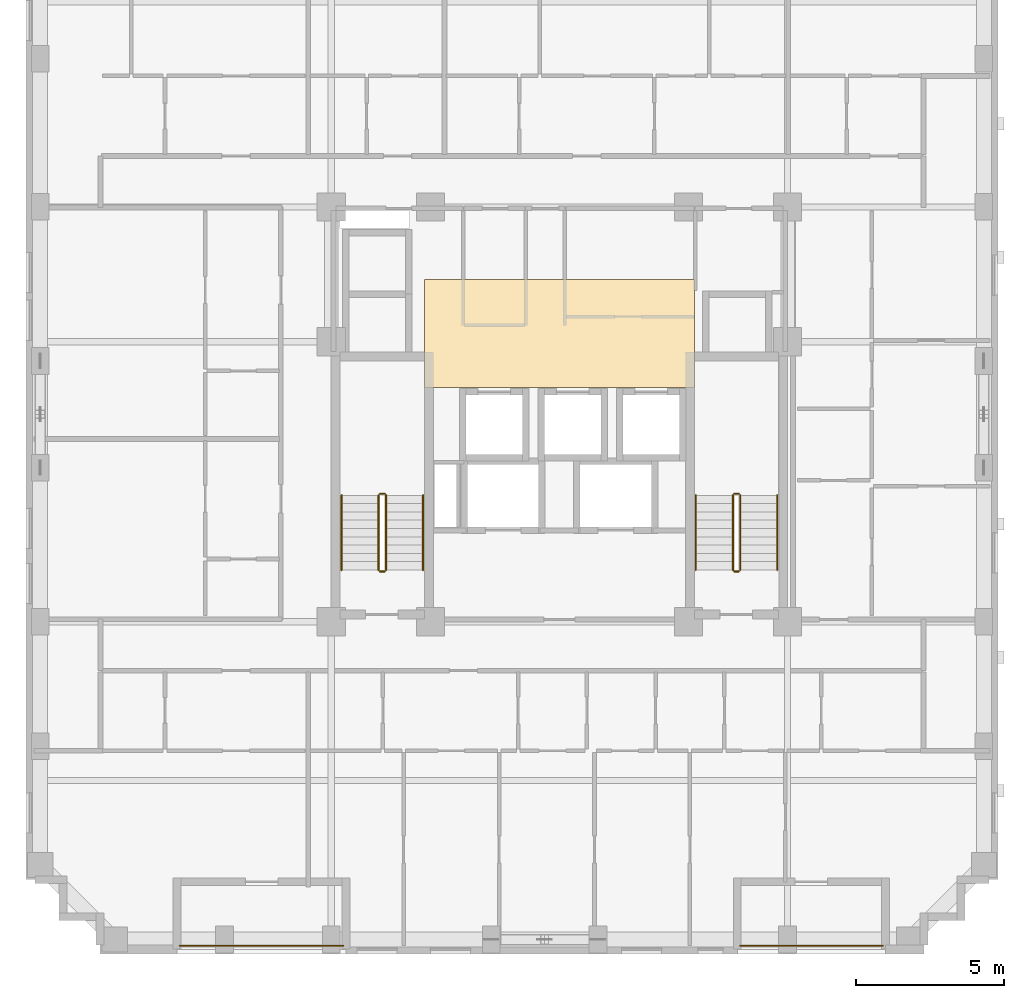
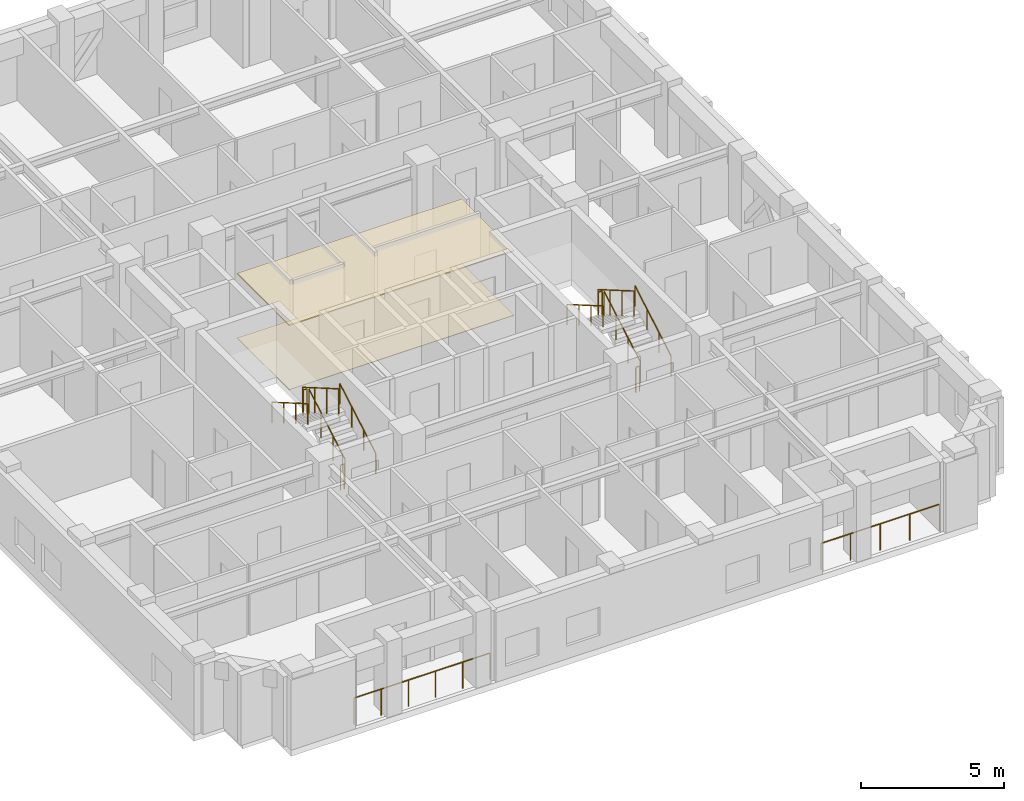
# One storey, part 10 of 11: 14 railings, 2 coverings.
"""IFC4 building model written with IfcOpenShell, lengths in metres."""

from ifc_helpers import new_model, si_unit, derived_unit, direction, frame, origin, origin_2d, place, context, subcontext, project, spatial, polyline, circle, outline, extrude, material, layer, layer_set, type_object, element, save


model = new_model("IFC4")

# Units and contexts
model_context = context("Model", 3, precision=1e-05, world=origin(), true_north=direction((0.0, 1.0)))
body_context = subcontext(model_context, "Body", "Model", "MODEL_VIEW")
ifc_project = project(units=[si_unit("LENGTHUNIT", "METRE"), si_unit("AREAUNIT", "SQUARE_METRE"), si_unit("VOLUMEUNIT", "CUBIC_METRE"), si_unit("PLANEANGLEUNIT", "RADIAN"), si_unit("MASSUNIT", "GRAM", prefix="KILO"), derived_unit("THERMALTRANSMITTANCEUNIT", [(si_unit("MASSUNIT", "GRAM", prefix="KILO"), 1), (si_unit("TIMEUNIT", "SECOND"), -3), (si_unit("THERMODYNAMICTEMPERATUREUNIT", "KELVIN"), -1)])], contexts=[model_context])

# Site, building, storey
site_placement = place(None, origin())
site = spatial("IfcSite", under=ifc_project, at=site_placement, CompositionType="ELEMENT")
building_placement = place(site_placement, origin())
building = spatial("IfcBuilding", under=site, at=building_placement, Name="Korrvale Station Residences", CompositionType="ELEMENT")
storey_placement = place(building_placement, frame((0.0, 0.0, 147.14990234375)))
storey = spatial("IfcBuildingStorey", under=building, at=storey_placement, Name="L42", CompositionType="ELEMENT", Elevation=147.14990234375)

# Coverings
ifc_material_1 = material(Name="Perforated acoustic mineral-fibre suspended ceiling", Category="gypsum")
ifc_layer_1 = layer(ifc_material_1, 0.050048828125, Name="Perforated acoustic mineral-fibre suspended ceiling")
ifc_layer_set_1 = layer_set([ifc_layer_1], Name="Perforated acoustic mineral-fibre suspended ceiling")
covering_type_1 = type_object("IfcCoveringType", Name="COV-CLG-AC60", PredefinedType="CEILING", material=ifc_layer_set_1)
covering_1_placement = place(storey_placement, frame((0.0, 0.0, 2.739990234375)))
element("IfcCovering", 1, at=covering_1_placement, inside=storey, type_object=covering_type_1, Name="L42 Elevator Lobby Acoustic Ceiling", PredefinedType="CEILING", context=body_context, shape_type="SweptSolid", body=[
    extrude(outline(polyline([(20.949951171875, 22.89990234375), (30.050048828125, 22.89990234375), (30.050048828125, 26.550048828125), (20.949951171875, 26.550048828125), (20.949951171875, 22.89990234375)])), origin(), (0.0, 0.0, 1.0), 0.050048828125),
])
ifc_material_2 = material(Name="Polished quartz-terrazzo lobby flooring", Category="masonry")
ifc_layer_2 = layer(ifc_material_2, 0.02001953125, Name="Polished quartz-terrazzo lobby flooring")
ifc_layer_set_2 = layer_set([ifc_layer_2], Name="Polished quartz-terrazzo lobby flooring")
covering_type_2 = type_object("IfcCoveringType", Name="COV-FLR-TER20", PredefinedType="FLOORING", material=ifc_layer_set_2)
covering_2_placement = place(storey_placement, origin())
element("IfcCovering", 2, at=covering_2_placement, inside=storey, type_object=covering_type_2, Name="L42 Elevator Lobby Terrazzo Flooring", PredefinedType="FLOORING", context=body_context, shape_type="SweptSolid", body=[
    extrude(outline(polyline([(20.949951171875, 22.89990234375), (30.050048828125, 22.89990234375), (30.050048828125, 26.550048828125), (20.949951171875, 26.550048828125), (20.949951171875, 22.89990234375)])), origin(), (0.0, 0.0, 1.0), 0.02001953125),
])

# Railings
ifc_material_3 = material(Name="Powder-coated aluminium picket loggia guard", Category="aluminium")
railing_type_1 = type_object("IfcRailingType", Name="RLG-BAL-1150", PredefinedType="GUARDRAIL", material=ifc_material_3)
railing_1_placement = place(storey_placement, frame((31.60009765625, 4.070068359375, 0.0)))
element("IfcRailing", 3, at=railing_1_placement, inside=storey, type_object=railing_type_1, Name="L42 Recessed Loggia Guardrail BAL-L42-S2", PredefinedType="GUARDRAIL", context=body_context, shape_type="SweptSolid", body=[
    extrude(circle(Radius=0.02392578125, at=origin_2d()), frame((0.0, 0.0, 1.1259765625), z_axis=(1.0, 0.0, 0.0), x_axis=(0.0, 1.0, 0.0)), (0.0, 0.0, 1.0), 4.7998046875),
    extrude(circle(Radius=0.02099609375, at=origin_2d()), origin(), (0.0, 0.0, 1.0), 1.101806640625),
    extrude(circle(Radius=0.02099609375, at=origin_2d()), frame((1.199951171875, 0.0, 0.0)), (0.0, 0.0, 1.0), 1.101806640625),
    extrude(circle(Radius=0.02099609375, at=origin_2d()), frame((2.39990234375, 0.0, 0.0)), (0.0, 0.0, 1.0), 1.101806640625),
    extrude(circle(Radius=0.02099609375, at=origin_2d()), frame((3.599853515625, 0.0, 0.0)), (0.0, 0.0, 1.0), 1.101806640625),
    extrude(circle(Radius=0.02099609375, at=origin_2d()), frame((4.7998046875, 0.0, 0.0)), (0.0, 0.0, 1.0), 1.101806640625),
])
railing_2_placement = place(storey_placement, frame((12.699951171875, 4.070068359375, 0.0)))
element("IfcRailing", 4, at=railing_2_placement, inside=storey, type_object=railing_type_1, Name="L42 Recessed Loggia Guardrail BAL-L42-S1", PredefinedType="GUARDRAIL", context=body_context, shape_type="SweptSolid", body=[
    extrude(circle(Radius=0.02392578125, at=origin_2d()), frame((0.0, 0.0, 1.1259765625), z_axis=(1.0, 0.0, 0.0), x_axis=(0.0, 1.0, 0.0)), (0.0, 0.0, 1.0), 5.5),
    extrude(circle(Radius=0.02099609375, at=origin_2d()), origin(), (0.0, 0.0, 1.0), 1.101806640625),
    extrude(circle(Radius=0.02099609375, at=origin_2d()), frame((1.10009765625, 0.0, 0.0)), (0.0, 0.0, 1.0), 1.101806640625),
    extrude(circle(Radius=0.02099609375, at=origin_2d()), frame((2.199951171875, 0.0, 0.0)), (0.0, 0.0, 1.0), 1.101806640625),
    extrude(circle(Radius=0.02099609375, at=origin_2d()), frame((3.300048828125, 0.0, 0.0)), (0.0, 0.0, 1.0), 1.101806640625),
    extrude(circle(Radius=0.02099609375, at=origin_2d()), frame((4.39990234375, 0.0, 0.0)), (0.0, 0.0, 1.0), 1.101806640625),
    extrude(circle(Radius=0.02099609375, at=origin_2d()), frame((5.5, 0.0, 0.0)), (0.0, 0.0, 1.0), 1.101806640625),
])
ifc_material_4 = material(Name="Brushed stainless-steel continuous stair handrail", Category="steel")
railing_type_2 = type_object("IfcRailingType", Name="RLG-SHND-900", PredefinedType="HANDRAIL", material=ifc_material_4)
railing_3_placement = place(storey_placement, frame((20.89990234375, 16.75, 0.16259765625)))
element("IfcRailing", 5, at=railing_3_placement, inside=storey, type_object=railing_type_2, Name="L42 ST-1 stair handrail 1", PredefinedType="HANDRAIL", context=body_context, shape_type="SweptSolid", body=[
    extrude(circle(Radius=0.02392578125, at=origin_2d()), frame((0.0, 0.0, 0.8759765625), z_axis=(0.0, 0.864913338283, 0.50192122615), x_axis=(-1.0, 0.0, 0.0)), (0.0, 0.0, 1.0), 2.91357421875),
    extrude(circle(Radius=0.02099609375, at=origin_2d()), origin(), (0.0, 0.0, 1.0), 0.851806640625),
    extrude(circle(Radius=0.02099609375, at=origin_2d()), frame((0.0, 0.840087890625, 0.487548828125)), (0.0, 0.0, 1.0), 0.851806640625),
    extrude(circle(Radius=0.02099609375, at=origin_2d()), frame((0.0, 1.679931640625, 0.974853515625)), (0.0, 0.0, 1.0), 0.851806640625),
    extrude(circle(Radius=0.02099609375, at=origin_2d()), frame((0.0, 2.52001953125, 1.46240234375)), (0.0, 0.0, 1.0), 0.851806640625),
])
railing_4_placement = place(storey_placement, frame((18.14990234375, 19.27001953125, 1.78759765625)))
element("IfcRailing", 6, at=railing_4_placement, inside=storey, type_object=railing_type_2, Name="L42 ST-1 stair handrail 2", PredefinedType="HANDRAIL", context=body_context, shape_type="SweptSolid", body=[
    extrude(circle(Radius=0.02392578125, at=origin_2d()), frame((0.0, 0.0, 0.8759765625), z_axis=(0.0, -0.864913338283, 0.50192122615), x_axis=(1.0, 0.0, 0.0)), (0.0, 0.0, 1.0), 2.91357421875),
    extrude(circle(Radius=0.02099609375, at=origin_2d()), origin(), (0.0, 0.0, 1.0), 0.851806640625),
    extrude(circle(Radius=0.02099609375, at=origin_2d()), frame((0.0, -0.840087890625, 0.487548828125)), (0.0, 0.0, 1.0), 0.851806640625),
    extrude(circle(Radius=0.02099609375, at=origin_2d()), frame((0.0, -1.679931640625, 0.974853515625)), (0.0, 0.0, 1.0), 0.851806640625),
    extrude(circle(Radius=0.02099609375, at=origin_2d()), frame((0.0, -2.52001953125, 1.46240234375)), (0.0, 0.0, 1.0), 0.851806640625),
])
railing_5_placement = place(storey_placement, frame((32.85009765625, 16.75, 0.16259765625)))
element("IfcRailing", 7, at=railing_5_placement, inside=storey, type_object=railing_type_2, Name="L42 ST-2 stair handrail 1", PredefinedType="HANDRAIL", context=body_context, shape_type="SweptSolid", body=[
    extrude(circle(Radius=0.02392578125, at=origin_2d()), frame((0.0, 0.0, 0.8759765625), z_axis=(0.0, 0.864913338283, 0.50192122615), x_axis=(-1.0, 0.0, 0.0)), (0.0, 0.0, 1.0), 2.91357421875),
    extrude(circle(Radius=0.02099609375, at=origin_2d()), origin(), (0.0, 0.0, 1.0), 0.851806640625),
    extrude(circle(Radius=0.02099609375, at=origin_2d()), frame((0.0, 0.840087890625, 0.487548828125)), (0.0, 0.0, 1.0), 0.851806640625),
    extrude(circle(Radius=0.02099609375, at=origin_2d()), frame((0.0, 1.679931640625, 0.974853515625)), (0.0, 0.0, 1.0), 0.851806640625),
    extrude(circle(Radius=0.02099609375, at=origin_2d()), frame((0.0, 2.52001953125, 1.46240234375)), (0.0, 0.0, 1.0), 0.851806640625),
])
railing_6_placement = place(storey_placement, frame((30.10009765625, 19.27001953125, 1.78759765625)))
element("IfcRailing", 8, at=railing_6_placement, inside=storey, type_object=railing_type_2, Name="L42 ST-2 stair handrail 2", PredefinedType="HANDRAIL", context=body_context, shape_type="SweptSolid", body=[
    extrude(circle(Radius=0.02392578125, at=origin_2d()), frame((0.0, 0.0, 0.8759765625), z_axis=(0.0, -0.864913338283, 0.50192122615), x_axis=(1.0, 0.0, 0.0)), (0.0, 0.0, 1.0), 2.91357421875),
    extrude(circle(Radius=0.02099609375, at=origin_2d()), origin(), (0.0, 0.0, 1.0), 0.851806640625),
    extrude(circle(Radius=0.02099609375, at=origin_2d()), frame((0.0, -0.840087890625, 0.487548828125)), (0.0, 0.0, 1.0), 0.851806640625),
    extrude(circle(Radius=0.02099609375, at=origin_2d()), frame((0.0, -1.679931640625, 0.974853515625)), (0.0, 0.0, 1.0), 0.851806640625),
    extrude(circle(Radius=0.02099609375, at=origin_2d()), frame((0.0, -2.52001953125, 1.46240234375)), (0.0, 0.0, 1.0), 0.851806640625),
])
ifc_material_5 = material(Name="Galvanised painted tubular steel stair guard", Category="steel")
railing_type_3 = type_object("IfcRailingType", Name="RLG-STR-1100", PredefinedType="GUARDRAIL", material=ifc_material_5)
railing_7_placement = place(storey_placement, frame((19.64990234375, 16.75, 0.16259765625)))
element("IfcRailing", 9, at=railing_7_placement, inside=storey, type_object=railing_type_3, Name="L42 ST-1 stair guard 1", PredefinedType="GUARDRAIL", context=body_context, shape_type="SweptSolid", body=[
    extrude(circle(Radius=0.02392578125, at=origin_2d()), frame((0.0, 0.0, 1.076171875), z_axis=(0.0, 0.864913338283, 0.50192122615), x_axis=(-1.0, 0.0, 0.0)), (0.0, 0.0, 1.0), 2.91357421875),
    extrude(circle(Radius=0.02099609375, at=origin_2d()), origin(), (0.0, 0.0, 1.0), 1.052001953125),
    extrude(circle(Radius=0.02099609375, at=origin_2d()), frame((0.0, 0.840087890625, 0.487548828125)), (0.0, 0.0, 1.0), 1.052001953125),
    extrude(circle(Radius=0.02099609375, at=origin_2d()), frame((0.0, 1.679931640625, 0.974853515625)), (0.0, 0.0, 1.0), 1.052001953125),
    extrude(circle(Radius=0.02099609375, at=origin_2d()), frame((0.0, 2.52001953125, 1.46240234375)), (0.0, 0.0, 1.0), 1.052001953125),
])
railing_8_placement = place(storey_placement, frame((19.60009765625, 19.320068359375, 1.625)))
element("IfcRailing", 10, at=railing_8_placement, inside=storey, type_object=railing_type_3, Name="L42 ST-1 stair guard 2", PredefinedType="GUARDRAIL", context=body_context, shape_type="SweptSolid", body=[
    extrude(circle(Radius=0.02392578125, at=origin_2d()), frame((0.0, 0.0, 1.076171875), z_axis=(-1.0, 0.0, 0.0), x_axis=(0.0, -1.0, 0.0)), (0.0, 0.0, 1.0), 0.150146484375),
    extrude(circle(Radius=0.02099609375, at=origin_2d()), origin(), (0.0, 0.0, 1.0), 1.052001953125),
    extrude(circle(Radius=0.02099609375, at=origin_2d()), frame((-0.150146484375, 0.0, 0.0)), (0.0, 0.0, 1.0), 1.052001953125),
])
railing_9_placement = place(storey_placement, frame((19.39990234375, 19.27001953125, 1.78759765625)))
element("IfcRailing", 11, at=railing_9_placement, inside=storey, type_object=railing_type_3, Name="L42 ST-1 stair guard 3", PredefinedType="GUARDRAIL", context=body_context, shape_type="SweptSolid", body=[
    extrude(circle(Radius=0.02392578125, at=origin_2d()), frame((0.0, 0.0, 1.076171875), z_axis=(0.0, -0.864913338283, 0.50192122615), x_axis=(1.0, 0.0, 0.0)), (0.0, 0.0, 1.0), 2.91357421875),
    extrude(circle(Radius=0.02099609375, at=origin_2d()), origin(), (0.0, 0.0, 1.0), 1.052001953125),
    extrude(circle(Radius=0.02099609375, at=origin_2d()), frame((0.0, -0.840087890625, 0.487548828125)), (0.0, 0.0, 1.0), 1.052001953125),
    extrude(circle(Radius=0.02099609375, at=origin_2d()), frame((0.0, -1.679931640625, 0.974853515625)), (0.0, 0.0, 1.0), 1.052001953125),
    extrude(circle(Radius=0.02099609375, at=origin_2d()), frame((0.0, -2.52001953125, 1.46240234375)), (0.0, 0.0, 1.0), 1.052001953125),
])
railing_10_placement = place(storey_placement, frame((19.60009765625, 16.699951171875, 0.0)))
element("IfcRailing", 12, at=railing_10_placement, inside=storey, type_object=railing_type_3, Name="L42 ST-1 stair guard 4", PredefinedType="GUARDRAIL", context=body_context, shape_type="SweptSolid", body=[
    extrude(circle(Radius=0.02392578125, at=origin_2d()), frame((0.0, 0.0, 1.076171875), z_axis=(-1.0, 0.0, 0.0), x_axis=(0.0, -1.0, 0.0)), (0.0, 0.0, 1.0), 0.150146484375),
    extrude(circle(Radius=0.02099609375, at=origin_2d()), origin(), (0.0, 0.0, 1.0), 1.052001953125),
    extrude(circle(Radius=0.02099609375, at=origin_2d()), frame((-0.150146484375, 0.0, 0.0)), (0.0, 0.0, 1.0), 1.052001953125),
])
railing_11_placement = place(storey_placement, frame((31.60009765625, 16.75, 0.16259765625)))
element("IfcRailing", 13, at=railing_11_placement, inside=storey, type_object=railing_type_3, Name="L42 ST-2 stair guard 1", PredefinedType="GUARDRAIL", context=body_context, shape_type="SweptSolid", body=[
    extrude(circle(Radius=0.02392578125, at=origin_2d()), frame((0.0, 0.0, 1.076171875), z_axis=(0.0, 0.864913338283, 0.50192122615), x_axis=(-1.0, 0.0, 0.0)), (0.0, 0.0, 1.0), 2.91357421875),
    extrude(circle(Radius=0.02099609375, at=origin_2d()), origin(), (0.0, 0.0, 1.0), 1.052001953125),
    extrude(circle(Radius=0.02099609375, at=origin_2d()), frame((0.0, 0.840087890625, 0.487548828125)), (0.0, 0.0, 1.0), 1.052001953125),
    extrude(circle(Radius=0.02099609375, at=origin_2d()), frame((0.0, 1.679931640625, 0.974853515625)), (0.0, 0.0, 1.0), 1.052001953125),
    extrude(circle(Radius=0.02099609375, at=origin_2d()), frame((0.0, 2.52001953125, 1.46240234375)), (0.0, 0.0, 1.0), 1.052001953125),
])
railing_12_placement = place(storey_placement, frame((31.550048828125, 19.320068359375, 1.625)))
element("IfcRailing", 14, at=railing_12_placement, inside=storey, type_object=railing_type_3, Name="L42 ST-2 stair guard 2", PredefinedType="GUARDRAIL", context=body_context, shape_type="SweptSolid", body=[
    extrude(circle(Radius=0.02392578125, at=origin_2d()), frame((0.0, 0.0, 1.076171875), z_axis=(-1.0, 0.0, 0.0), x_axis=(0.0, -1.0, 0.0)), (0.0, 0.0, 1.0), 0.150146484375),
    extrude(circle(Radius=0.02099609375, at=origin_2d()), origin(), (0.0, 0.0, 1.0), 1.052001953125),
    extrude(circle(Radius=0.02099609375, at=origin_2d()), frame((-0.150146484375, 0.0, 0.0)), (0.0, 0.0, 1.0), 1.052001953125),
])
railing_13_placement = place(storey_placement, frame((31.35009765625, 19.27001953125, 1.78759765625)))
element("IfcRailing", 15, at=railing_13_placement, inside=storey, type_object=railing_type_3, Name="L42 ST-2 stair guard 3", PredefinedType="GUARDRAIL", context=body_context, shape_type="SweptSolid", body=[
    extrude(circle(Radius=0.02392578125, at=origin_2d()), frame((0.0, 0.0, 1.076171875), z_axis=(0.0, -0.864913338283, 0.50192122615), x_axis=(1.0, 0.0, 0.0)), (0.0, 0.0, 1.0), 2.91357421875),
    extrude(circle(Radius=0.02099609375, at=origin_2d()), origin(), (0.0, 0.0, 1.0), 1.052001953125),
    extrude(circle(Radius=0.02099609375, at=origin_2d()), frame((0.0, -0.840087890625, 0.487548828125)), (0.0, 0.0, 1.0), 1.052001953125),
    extrude(circle(Radius=0.02099609375, at=origin_2d()), frame((0.0, -1.679931640625, 0.974853515625)), (0.0, 0.0, 1.0), 1.052001953125),
    extrude(circle(Radius=0.02099609375, at=origin_2d()), frame((0.0, -2.52001953125, 1.46240234375)), (0.0, 0.0, 1.0), 1.052001953125),
])
railing_14_placement = place(storey_placement, frame((31.550048828125, 16.699951171875, 0.0)))
element("IfcRailing", 16, at=railing_14_placement, inside=storey, type_object=railing_type_3, Name="L42 ST-2 stair guard 4", PredefinedType="GUARDRAIL", context=body_context, shape_type="SweptSolid", body=[
    extrude(circle(Radius=0.02392578125, at=origin_2d()), frame((0.0, 0.0, 1.076171875), z_axis=(-1.0, 0.0, 0.0), x_axis=(0.0, -1.0, 0.0)), (0.0, 0.0, 1.0), 0.150146484375),
    extrude(circle(Radius=0.02099609375, at=origin_2d()), origin(), (0.0, 0.0, 1.0), 1.052001953125),
    extrude(circle(Radius=0.02099609375, at=origin_2d()), frame((-0.150146484375, 0.0, 0.0)), (0.0, 0.0, 1.0), 1.052001953125),
])

save(model, "model.ifc")
